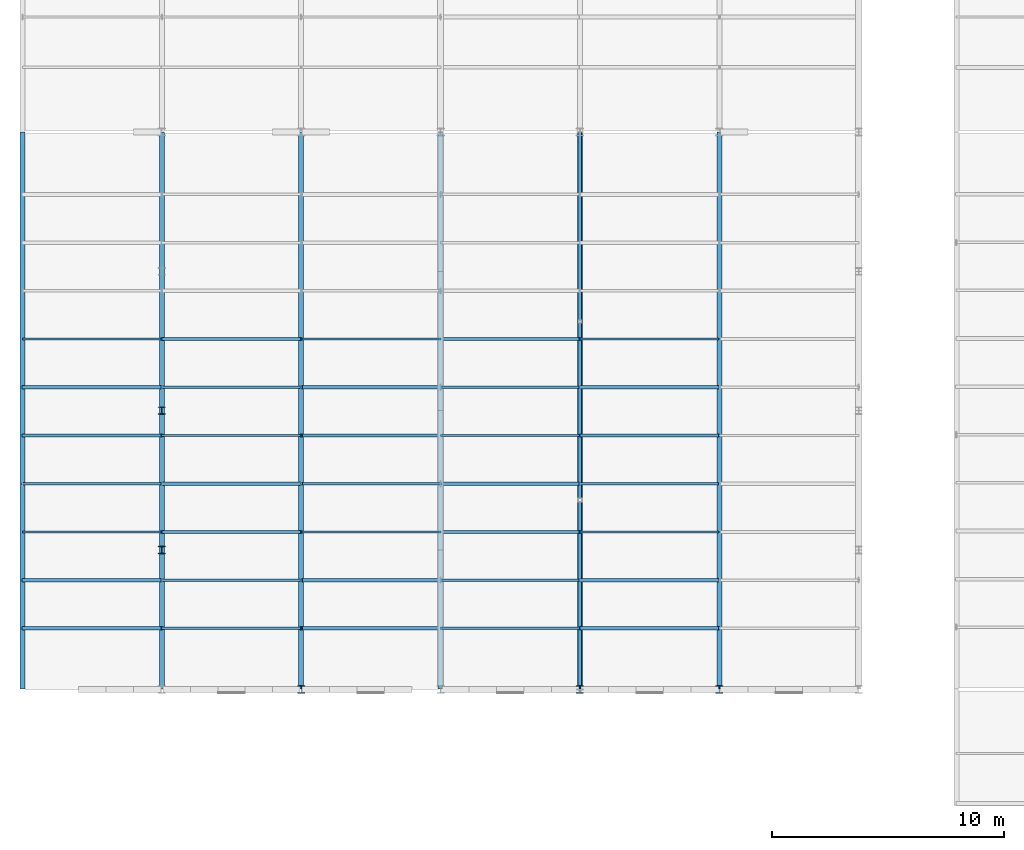
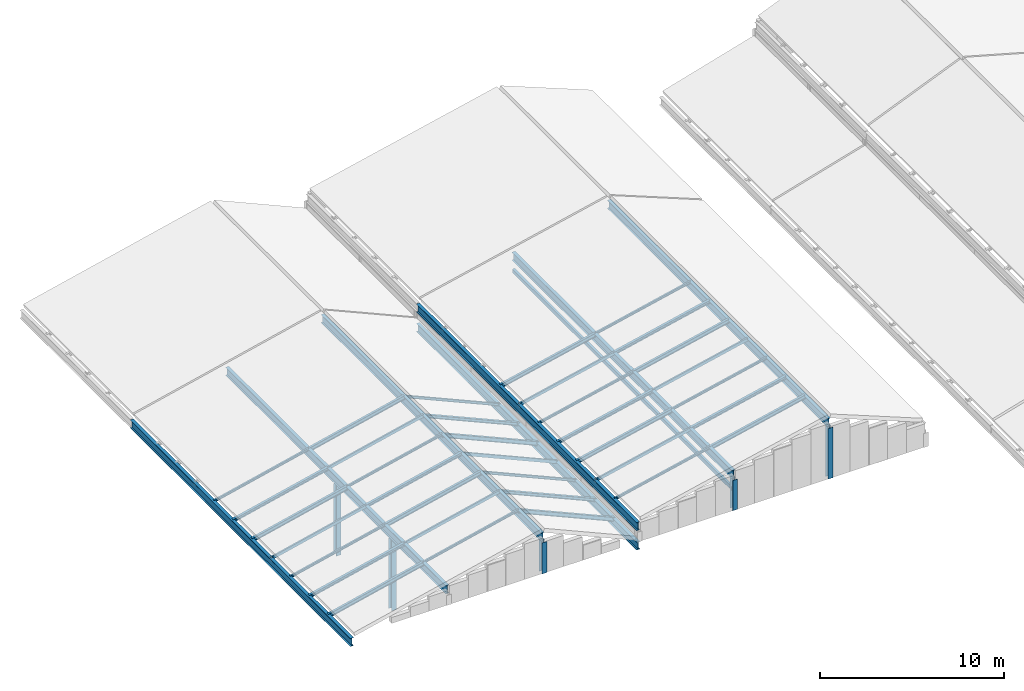
# One storey, part 1 of 74: 41 members, 7 beams.
"""IFC4 building model written with IfcOpenShell, lengths in metres."""

from ifc_helpers import new_model, si_unit, direction, frame, origin, origin_2d, place, context, subcontext, project, spatial, hollow_rectangle, i_section, extrude, material, material_profile, profile_set, type_object, element, save


model = new_model("IFC4")

# Units and contexts
model_context = context("Model", 3, precision=1e-05, world=origin(), true_north=direction((0.0, 1.0)))
body_context = subcontext(model_context, "Body", "Model", "MODEL_VIEW")
ifc_project = project(units=[si_unit("LENGTHUNIT", "METRE"), si_unit("AREAUNIT", "SQUARE_METRE"), si_unit("VOLUMEUNIT", "CUBIC_METRE"), si_unit("PLANEANGLEUNIT", "RADIAN"), si_unit("MASSUNIT", "GRAM", prefix="KILO")], contexts=[model_context])

# Site, building, storey
site_placement = place(None, origin())
site = spatial("IfcSite", under=ifc_project, at=site_placement, CompositionType="ELEMENT")
building_placement = place(site_placement, origin())
building = spatial("IfcBuilding", under=site, at=building_placement, Name="Siltcreek Boulevard Central Fire Station", CompositionType="ELEMENT")
storey_placement = place(building_placement, frame((0.0, 0.0, 25.199951171875)))
storey = spatial("IfcBuildingStorey", under=building, at=storey_placement, Name="RF", CompositionType="ELEMENT", Elevation=25.199951171875)

# Beams
ifc_material_1 = material(Name="Structural steel ASTM A992 Gr50", Category="steel")
ifc_material_profile_1 = material_profile(ifc_material_1, i_section(OverallWidth=0.2109375, OverallDepth=0.5390625, WebThickness=0.01171875, FlangeThickness=0.018798828125, at=origin_2d()), Name="W530X109")
ifc_profile_set_1 = profile_set([ifc_material_profile_1], Name="Structural steel ASTM A992 Gr50")
beam_type = type_object("IfcBeamType", Name="BM_W530X109", PredefinedType="BEAM", material=ifc_profile_set_1)
for number, where, z_axis, x_axis, name in (
    (1, (1.800048828125, 18.010009765625, -15.67333984375), (0.0, 1.0, 0.0), (-1.0, 0.0, 0.0), "Pitched roof rafter beam RFB-035"),
    (2, (7.800048828125, 18.010009765625, -14.2734375), (0.0, 1.0, 0.0), (-1.0, 0.0, 0.0), "Pitched roof rafter beam RFB-036"),
    (3, (13.800048828125, 18.010009765625, -12.87353515625), (0.0, 1.0, 0.0), (-1.0, 0.0, 0.0), "Pitched roof rafter beam RFB-037"),
    (4, (19.800048828125, 18.010009765625, -15.566162109375), (0.0, 1.0, 0.0), (-1.0, 0.0, 0.0), "Pitched roof rafter beam RFB-038"),
    (5, (19.800048828125, 18.010009765625, -14.27197265625), (0.0, 1.0, 0.0), (-1.0, 0.0, 0.0), "Pitched roof rafter beam RFB-043"),
    (6, (25.800048828125, 18.010009765625, -12.921875), (0.0, 1.0, 0.0), (-1.0, 0.0, 0.0), "Pitched roof rafter beam RFB-044"),
    (7, (31.800048828125, 18.010009765625, -11.572021484375), (0.0, 1.0, 0.0), (-1.0, 0.0, 0.0), "Pitched roof rafter beam RFB-045"),
):
    element("IfcBeam", number, at=place(storey_placement, frame(where, z_axis=z_axis, x_axis=x_axis)), inside=storey, type_object=beam_type, Name=name, PredefinedType="BEAM", context=body_context, shape_type="SweptSolid", body=[
        extrude(i_section(OverallWidth=0.2109375, OverallDepth=0.5390625, WebThickness=0.01171875, FlangeThickness=0.018798828125, at=origin_2d()), origin(), (0.0, 0.0, 1.0), 23.97998046875),
    ])

# Members
ifc_material_2 = material(Name="Structural steel ASTM A500 GrC", Category="steel")
ifc_material_profile_2 = material_profile(ifc_material_2, hollow_rectangle(XDim=0.14990234375, YDim=0.25, WallThickness=0.008056640625, at=origin_2d()), Name="HSS250X150X8.0")
ifc_profile_set_2 = profile_set([ifc_material_profile_2], Name="Structural steel ASTM A500 GrC")
member_type_1 = type_object("IfcMemberType", Name="CH_HSS250X150", PredefinedType="CHORD", material=ifc_profile_set_2)
member_1_placement = place(storey_placement, frame((25.800048828125, 18.010009765625, -13.911376953125), z_axis=(0.0, 1.0, 0.0), x_axis=(-1.0, 0.0, 0.0)))
element("IfcMember", 8, at=member_1_placement, inside=storey, type_object=member_type_1, Name="Roof truss bottom chord CH-005", PredefinedType="CHORD", context=body_context, shape_type="SweptSolid", body=[
    extrude(hollow_rectangle(XDim=0.14990234375, YDim=0.25, WallThickness=0.008056640625, at=origin_2d()), origin(), (0.0, 0.0, 1.0), 23.97998046875),
])
ifc_material_profile_3 = material_profile(ifc_material_1, i_section(OverallWidth=0.304931640625, OverallDepth=0.30810546875, WebThickness=0.010009765625, FlangeThickness=0.015380859375, at=origin_2d()), Name="W310X97")
ifc_profile_set_3 = profile_set([ifc_material_profile_3], Name="Structural steel ASTM A992 Gr50")
member_type_2 = type_object("IfcMemberType", Name="CH_W310X97", PredefinedType="CHORD", material=ifc_profile_set_3)
for number, where, z_axis, x_axis, name in (
    (9, (7.800048828125, 24.0, -19.199951171875), (0.0, 0.0, 1.0), (1.0, 0.0, 0.0), "Roof bearing truss post 0660"),
    (10, (7.800048828125, 30.0, -19.199951171875), (0.0, 0.0, 1.0), (1.0, 0.0, 0.0), "Roof bearing truss post 0661"),
):
    element("IfcMember", number, at=place(storey_placement, frame(where, z_axis=z_axis, x_axis=x_axis)), inside=storey, type_object=member_type_2, Name=name, PredefinedType="CHORD", context=body_context, shape_type="SweptSolid", body=[
        extrude(i_section(OverallWidth=0.304931640625, OverallDepth=0.30810546875, WebThickness=0.010009765625, FlangeThickness=0.015380859375, at=origin_2d()), origin(), (0.0, 0.0, 1.0), 4.660888671875),
    ])
member_2_placement = place(storey_placement, frame((13.800048828125, 18.0, -15.199951171875), z_axis=(0.0, 0.0, 1.0), x_axis=(1.0, 0.0, 0.0)))
element("IfcMember", 11, at=member_2_placement, inside=storey, type_object=member_type_2, Name="Roof bearing truss post 0666", PredefinedType="CHORD", context=body_context, shape_type="SweptSolid", body=[
    extrude(i_section(OverallWidth=0.304931640625, OverallDepth=0.30810546875, WebThickness=0.010009765625, FlangeThickness=0.015380859375, at=origin_2d()), origin(), (0.0, 0.0, 1.0), 2.06103515625),
])
member_3_placement = place(storey_placement, frame((25.800048828125, 18.0, -15.199951171875), z_axis=(0.0, 0.0, 1.0), x_axis=(1.0, 0.0, 0.0)))
element("IfcMember", 12, at=member_3_placement, inside=storey, type_object=member_type_2, Name="Roof bearing truss post 0674", PredefinedType="CHORD", context=body_context, shape_type="SweptSolid", body=[
    extrude(i_section(OverallWidth=0.304931640625, OverallDepth=0.30810546875, WebThickness=0.010009765625, FlangeThickness=0.015380859375, at=origin_2d()), origin(), (0.0, 0.0, 1.0), 2.012451171875),
])
member_4_placement = place(storey_placement, frame((31.800048828125, 18.0, -15.199951171875), z_axis=(0.0, 0.0, 1.0), x_axis=(1.0, 0.0, 0.0)))
element("IfcMember", 13, at=member_4_placement, inside=storey, type_object=member_type_2, Name="Roof bearing truss post 0678", PredefinedType="CHORD", context=body_context, shape_type="SweptSolid", body=[
    extrude(i_section(OverallWidth=0.304931640625, OverallDepth=0.30810546875, WebThickness=0.010009765625, FlangeThickness=0.015380859375, at=origin_2d()), origin(), (0.0, 0.0, 1.0), 3.362548828125),
])
ifc_material_profile_4 = material_profile(ifc_material_2, hollow_rectangle(XDim=0.10009765625, YDim=0.199951171875, WallThickness=0.00634765625, at=origin_2d()), Name="HSS200X100X6.4")
ifc_profile_set_4 = profile_set([ifc_material_profile_4], Name="Structural steel ASTM A500 GrC")
member_type_3 = type_object("IfcMemberType", Name="PR_HSS200X100", PredefinedType="PURLIN", material=ifc_profile_set_4)
for number, where, z_axis, x_axis, name in (
    (14, (1.81005859375, 26.85546875, -15.470947265625), (0.973843555816, 0.0, 0.227219560769), (0.0, 1.0, 0.0), "Sloped roof purlin PR-0187"),
    (15, (7.81005859375, 22.70263671875, -14.071044921875), (0.973843555816, 0.0, 0.227219560769), (0.0, 1.0, 0.0), "Sloped roof purlin PR-0195"),
    (16, (7.81005859375, 31.00830078125, -14.071044921875), (0.973843555816, 0.0, 0.227219560769), (0.0, 1.0, 0.0), "Sloped roof purlin PR-0199"),
):
    element("IfcMember", number, at=place(storey_placement, frame(where, z_axis=z_axis, x_axis=x_axis)), inside=storey, type_object=member_type_3, Name=name, PredefinedType="PURLIN", context=body_context, shape_type="SweptSolid", body=[
        extrude(hollow_rectangle(XDim=0.10009765625, YDim=0.199951171875, WallThickness=0.00634765625, at=origin_2d()), origin(), (0.0, 0.0, 1.0), 6.140625),
    ])
member_5_placement = place(storey_placement, frame((13.81005859375, 26.85546875, -12.700927734375), z_axis=(0.914754658984, 0.0, -0.404009794272), x_axis=(0.0, 1.0, 0.0)))
element("IfcMember", 17, at=member_5_placement, inside=storey, type_object=member_type_3, Name="Sloped roof purlin PR-0207", PredefinedType="PURLIN", context=body_context, shape_type="SweptSolid", body=[
    extrude(hollow_rectangle(XDim=0.10009765625, YDim=0.199951171875, WallThickness=0.00634765625, at=origin_2d()), origin(), (0.0, 0.0, 1.0), 6.537353515625),
])
for number, where, z_axis, x_axis, name in (
    (18, (19.81005859375, 22.70263671875, -14.070556640625), (0.975602505083, 0.0, 0.219544419369), (0.0, 1.0, 0.0), "Sloped roof purlin PR-0227"),
    (19, (19.81005859375, 31.00830078125, -14.070556640625), (0.975602505083, 0.0, 0.219544419369), (0.0, 1.0, 0.0), "Sloped roof purlin PR-0231"),
):
    element("IfcMember", number, at=place(storey_placement, frame(where, z_axis=z_axis, x_axis=x_axis)), inside=storey, type_object=member_type_3, Name=name, PredefinedType="PURLIN", context=body_context, shape_type="SweptSolid", body=[
        extrude(hollow_rectangle(XDim=0.10009765625, YDim=0.199951171875, WallThickness=0.00634765625, at=origin_2d()), origin(), (0.0, 0.0, 1.0), 6.129638671875),
    ])
member_6_placement = place(storey_placement, frame((25.81005859375, 26.85546875, -12.720458984375), z_axis=(0.975611035589, 0.0, 0.219506508416), x_axis=(0.0, 1.0, 0.0)))
element("IfcMember", 20, at=member_6_placement, inside=storey, type_object=member_type_3, Name="Sloped roof purlin PR-0239", PredefinedType="PURLIN", context=body_context, shape_type="SweptSolid", body=[
    extrude(hollow_rectangle(XDim=0.10009765625, YDim=0.199951171875, WallThickness=0.00634765625, at=origin_2d()), origin(), (0.0, 0.0, 1.0), 6.12939453125),
])
ifc_material_profile_5 = material_profile(ifc_material_1, i_section(OverallWidth=0.10205078125, OverallDepth=0.159912109375, WebThickness=0.006591796875, FlangeThickness=0.01025390625, at=origin_2d()), Name="W150X24")
ifc_profile_set_5 = profile_set([ifc_material_profile_5], Name="Structural steel ASTM A992 Gr50")
member_type_4 = type_object("IfcMemberType", Name="PR_W150X24", PredefinedType="PURLIN", material=ifc_profile_set_5)
for number, where, z_axis, x_axis, name in (
    (21, (1.81005859375, 24.779052734375, -15.450439453125), (0.973843555816, 0.0, 0.227219560769), (0.0, 1.0, 0.0), "Sloped roof purlin PR-0186"),
    (22, (1.81005859375, 33.08447265625, -15.450439453125), (0.973843555816, 0.0, 0.227219560769), (0.0, 1.0, 0.0), "Sloped roof purlin PR-0190"),
    (23, (7.81005859375, 20.62646484375, -14.050537109375), (0.973834757562, 0.0, 0.227257266033), (0.0, 1.0, 0.0), "Sloped roof purlin PR-0194"),
    (24, (7.81005859375, 28.931884765625, -14.050537109375), (0.973834757562, 0.0, 0.227257266033), (0.0, 1.0, 0.0), "Sloped roof purlin PR-0198"),
):
    element("IfcMember", number, at=place(storey_placement, frame(where, z_axis=z_axis, x_axis=x_axis)), inside=storey, type_object=member_type_4, Name=name, PredefinedType="PURLIN", context=body_context, shape_type="SweptSolid", body=[
        extrude(i_section(OverallWidth=0.10205078125, OverallDepth=0.159912109375, WebThickness=0.006591796875, FlangeThickness=0.01025390625, at=origin_2d()), origin(), (0.0, 0.0, 1.0), 6.140625),
    ])
for number, where, z_axis, x_axis, name in (
    (25, (13.81005859375, 24.779052734375, -12.67919921875), (0.914754658984, 0.0, -0.404009794272), (0.0, 1.0, 0.0), "Sloped roof purlin PR-0206"),
    (26, (13.81005859375, 33.08447265625, -12.67919921875), (0.914754658984, 0.0, -0.404009794272), (0.0, 1.0, 0.0), "Sloped roof purlin PR-0210"),
):
    element("IfcMember", number, at=place(storey_placement, frame(where, z_axis=z_axis, x_axis=x_axis)), inside=storey, type_object=member_type_4, Name=name, PredefinedType="PURLIN", context=body_context, shape_type="SweptSolid", body=[
        extrude(i_section(OverallWidth=0.10205078125, OverallDepth=0.159912109375, WebThickness=0.006591796875, FlangeThickness=0.01025390625, at=origin_2d()), origin(), (0.0, 0.0, 1.0), 6.537353515625),
    ])
for number, where, z_axis, x_axis, name in (
    (27, (19.81005859375, 20.62646484375, -14.050048828125), (0.975602505083, 0.0, 0.219544419369), (0.0, 1.0, 0.0), "Sloped roof purlin PR-0226"),
    (28, (19.81005859375, 28.931884765625, -14.050048828125), (0.975602505083, 0.0, 0.219544419369), (0.0, 1.0, 0.0), "Sloped roof purlin PR-0230"),
):
    element("IfcMember", number, at=place(storey_placement, frame(where, z_axis=z_axis, x_axis=x_axis)), inside=storey, type_object=member_type_4, Name=name, PredefinedType="PURLIN", context=body_context, shape_type="SweptSolid", body=[
        extrude(i_section(OverallWidth=0.10205078125, OverallDepth=0.159912109375, WebThickness=0.006591796875, FlangeThickness=0.01025390625, at=origin_2d()), origin(), (0.0, 0.0, 1.0), 6.129638671875),
    ])
for number, where, z_axis, x_axis, name in (
    (29, (25.81005859375, 24.779052734375, -12.699951171875), (0.975611035589, 0.0, 0.219506508416), (0.0, 1.0, 0.0), "Sloped roof purlin PR-0238"),
    (30, (25.81005859375, 33.08447265625, -12.699951171875), (0.975611035589, 0.0, 0.219506508416), (0.0, 1.0, 0.0), "Sloped roof purlin PR-0242"),
):
    element("IfcMember", number, at=place(storey_placement, frame(where, z_axis=z_axis, x_axis=x_axis)), inside=storey, type_object=member_type_4, Name=name, PredefinedType="PURLIN", context=body_context, shape_type="SweptSolid", body=[
        extrude(i_section(OverallWidth=0.10205078125, OverallDepth=0.159912109375, WebThickness=0.006591796875, FlangeThickness=0.01025390625, at=origin_2d()), origin(), (0.0, 0.0, 1.0), 6.12939453125),
    ])
ifc_material_profile_6 = material_profile(ifc_material_1, i_section(OverallWidth=0.1650390625, OverallDepth=0.200927734375, WebThickness=0.006103515625, FlangeThickness=0.01025390625, at=origin_2d()), Name="W200X36")
ifc_profile_set_6 = profile_set([ifc_material_profile_6], Name="Structural steel ASTM A992 Gr50")
member_type_5 = type_object("IfcMemberType", Name="PR_W200X36", PredefinedType="PURLIN", material=ifc_profile_set_6)
for number, where, z_axis, x_axis, name in (
    (31, (1.81005859375, 22.70263671875, -15.471435546875), (0.973843555816, 0.0, 0.227219560769), (0.0, 1.0, 0.0), "Sloped roof purlin PR-0185"),
    (32, (1.81005859375, 31.00830078125, -15.471435546875), (0.973843555816, 0.0, 0.227219560769), (0.0, 1.0, 0.0), "Sloped roof purlin PR-0189"),
    (33, (7.81005859375, 26.85546875, -14.071533203125), (0.973843555816, 0.0, 0.227219560769), (0.0, 1.0, 0.0), "Sloped roof purlin PR-0197"),
):
    element("IfcMember", number, at=place(storey_placement, frame(where, z_axis=z_axis, x_axis=x_axis)), inside=storey, type_object=member_type_5, Name=name, PredefinedType="PURLIN", context=body_context, shape_type="SweptSolid", body=[
        extrude(i_section(OverallWidth=0.1650390625, OverallDepth=0.200927734375, WebThickness=0.006103515625, FlangeThickness=0.01025390625, at=origin_2d()), origin(), (0.0, 0.0, 1.0), 6.140625),
    ])
for number, where, z_axis, x_axis, name in (
    (34, (13.81005859375, 22.70263671875, -12.701416015625), (0.914740856677, 0.0, -0.404041043863), (0.0, 1.0, 0.0), "Sloped roof purlin PR-0205"),
    (35, (13.81005859375, 31.00830078125, -12.701416015625), (0.914740856677, 0.0, -0.404041043863), (0.0, 1.0, 0.0), "Sloped roof purlin PR-0209"),
):
    element("IfcMember", number, at=place(storey_placement, frame(where, z_axis=z_axis, x_axis=x_axis)), inside=storey, type_object=member_type_5, Name=name, PredefinedType="PURLIN", context=body_context, shape_type="SweptSolid", body=[
        extrude(i_section(OverallWidth=0.1650390625, OverallDepth=0.200927734375, WebThickness=0.006103515625, FlangeThickness=0.01025390625, at=origin_2d()), origin(), (0.0, 0.0, 1.0), 6.537353515625),
    ])
for number, where, z_axis, x_axis, name in (
    (36, (19.81005859375, 26.85546875, -14.071044921875), (0.975611035589, 0.0, 0.219506508416), (0.0, 1.0, 0.0), "Sloped roof purlin PR-0229"),
    (37, (25.81005859375, 22.70263671875, -12.720947265625), (0.975611035589, 0.0, 0.219506508416), (0.0, 1.0, 0.0), "Sloped roof purlin PR-0237"),
    (38, (25.81005859375, 31.00830078125, -12.720947265625), (0.975611035589, 0.0, 0.219506508416), (0.0, 1.0, 0.0), "Sloped roof purlin PR-0241"),
):
    element("IfcMember", number, at=place(storey_placement, frame(where, z_axis=z_axis, x_axis=x_axis)), inside=storey, type_object=member_type_5, Name=name, PredefinedType="PURLIN", context=body_context, shape_type="SweptSolid", body=[
        extrude(i_section(OverallWidth=0.1650390625, OverallDepth=0.200927734375, WebThickness=0.006103515625, FlangeThickness=0.01025390625, at=origin_2d()), origin(), (0.0, 0.0, 1.0), 6.12939453125),
    ])
ifc_material_profile_7 = material_profile(ifc_material_1, i_section(OverallWidth=0.14697265625, OverallDepth=0.261962890625, WebThickness=0.006591796875, FlangeThickness=0.01123046875, at=origin_2d()), Name="W250X39")
ifc_profile_set_7 = profile_set([ifc_material_profile_7], Name="Structural steel ASTM A992 Gr50")
member_type_6 = type_object("IfcMemberType", Name="PR_W250X39", PredefinedType="PURLIN", material=ifc_profile_set_7)
for number, where, z_axis, x_axis, name in (
    (39, (1.81005859375, 20.62646484375, -15.5029296875), (0.973834757562, 0.0, 0.227257266033), (0.0, 1.0, 0.0), "Sloped roof purlin PR-0184"),
    (40, (1.81005859375, 28.931884765625, -15.5029296875), (0.973834757562, 0.0, 0.227257266033), (0.0, 1.0, 0.0), "Sloped roof purlin PR-0188"),
    (41, (7.81005859375, 24.779052734375, -14.102783203125), (0.973843555816, 0.0, 0.227219560769), (0.0, 1.0, 0.0), "Sloped roof purlin PR-0196"),
    (42, (7.81005859375, 33.08447265625, -14.102783203125), (0.973843555816, 0.0, 0.227219560769), (0.0, 1.0, 0.0), "Sloped roof purlin PR-0200"),
):
    element("IfcMember", number, at=place(storey_placement, frame(where, z_axis=z_axis, x_axis=x_axis)), inside=storey, type_object=member_type_6, Name=name, PredefinedType="PURLIN", context=body_context, shape_type="SweptSolid", body=[
        extrude(i_section(OverallWidth=0.14697265625, OverallDepth=0.261962890625, WebThickness=0.006591796875, FlangeThickness=0.01123046875, at=origin_2d()), origin(), (0.0, 0.0, 1.0), 6.140625),
    ])
for number, where, z_axis, x_axis, name in (
    (43, (13.81005859375, 20.62646484375, -12.73486328125), (0.914754658984, 0.0, -0.404009794272), (0.0, 1.0, 0.0), "Sloped roof purlin PR-0204"),
    (44, (13.81005859375, 28.931884765625, -12.73486328125), (0.914754658984, 0.0, -0.404009794272), (0.0, 1.0, 0.0), "Sloped roof purlin PR-0208"),
):
    element("IfcMember", number, at=place(storey_placement, frame(where, z_axis=z_axis, x_axis=x_axis)), inside=storey, type_object=member_type_6, Name=name, PredefinedType="PURLIN", context=body_context, shape_type="SweptSolid", body=[
        extrude(i_section(OverallWidth=0.14697265625, OverallDepth=0.261962890625, WebThickness=0.006591796875, FlangeThickness=0.01123046875, at=origin_2d()), origin(), (0.0, 0.0, 1.0), 6.537353515625),
    ])
for number, where, z_axis, x_axis, name in (
    (45, (19.81005859375, 24.779052734375, -14.102294921875), (0.975611035589, 0.0, 0.219506508416), (0.0, 1.0, 0.0), "Sloped roof purlin PR-0228"),
    (46, (19.81005859375, 33.08447265625, -14.102294921875), (0.975611035589, 0.0, 0.219506508416), (0.0, 1.0, 0.0), "Sloped roof purlin PR-0232"),
    (47, (25.81005859375, 20.62646484375, -12.752197265625), (0.975611035589, 0.0, 0.219506508416), (0.0, 1.0, 0.0), "Sloped roof purlin PR-0236"),
    (48, (25.81005859375, 28.931884765625, -12.752197265625), (0.975611035589, 0.0, 0.219506508416), (0.0, 1.0, 0.0), "Sloped roof purlin PR-0240"),
):
    element("IfcMember", number, at=place(storey_placement, frame(where, z_axis=z_axis, x_axis=x_axis)), inside=storey, type_object=member_type_6, Name=name, PredefinedType="PURLIN", context=body_context, shape_type="SweptSolid", body=[
        extrude(i_section(OverallWidth=0.14697265625, OverallDepth=0.261962890625, WebThickness=0.006591796875, FlangeThickness=0.01123046875, at=origin_2d()), origin(), (0.0, 0.0, 1.0), 6.12939453125),
    ])

save(model, "model.ifc")
